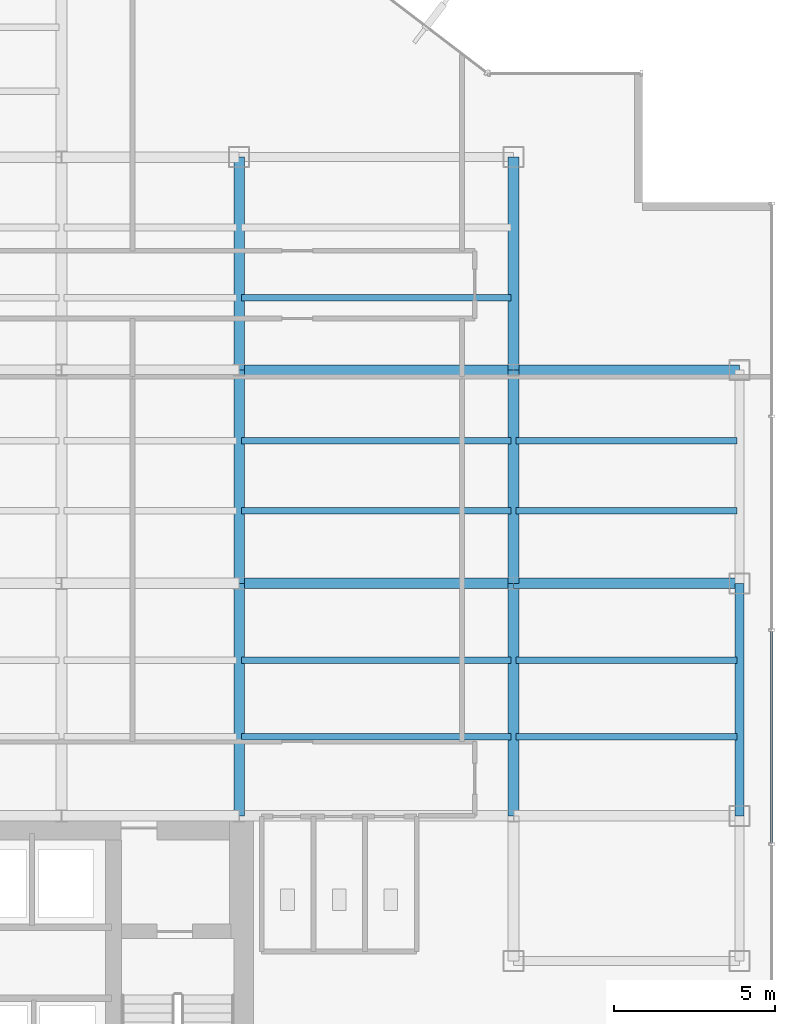
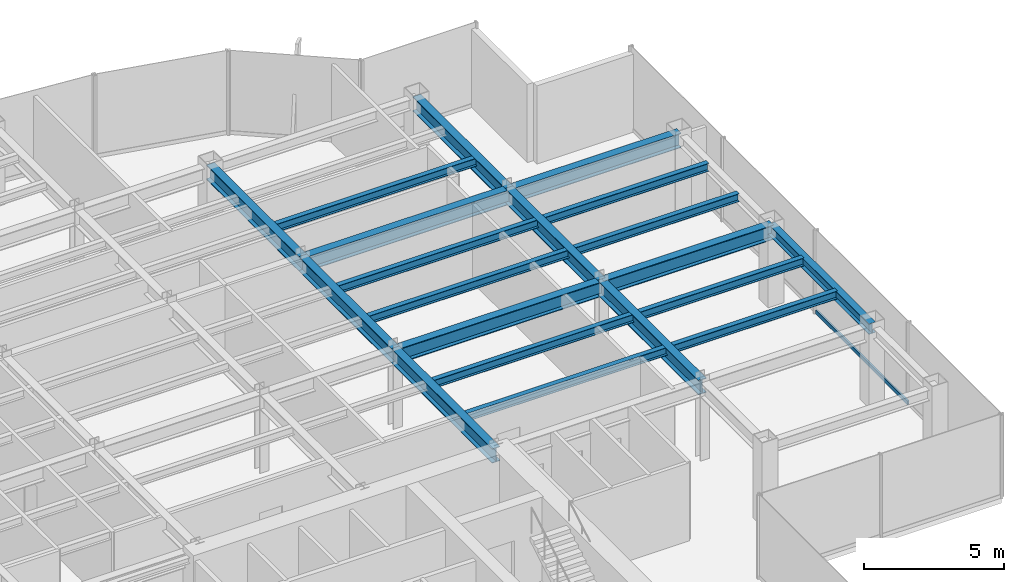
# One storey, part 12 of 25: 20 beams, 1 member, 1 element without a shape of its own.
"""IFC4 building model written with IfcOpenShell, lengths in metres."""

from ifc_helpers import new_model, si_unit, derived_unit, direction, frame, origin, origin_2d, place, context, subcontext, project, spatial, hollow_rectangle, i_section, extrude, source, transform, mapped, material, material_profile, profile_set, type_object, element, aggregate, save


model = new_model("IFC4")

# Units and contexts
model_context = context("Model", 3, precision=1e-05, world=origin(), true_north=direction((0.0, 1.0)))
body_context = subcontext(model_context, "Body", "Model", "MODEL_VIEW")
ifc_project = project(units=[si_unit("LENGTHUNIT", "METRE"), si_unit("AREAUNIT", "SQUARE_METRE"), si_unit("VOLUMEUNIT", "CUBIC_METRE"), si_unit("PLANEANGLEUNIT", "RADIAN"), si_unit("MASSUNIT", "GRAM", prefix="KILO"), derived_unit("THERMALTRANSMITTANCEUNIT", [(si_unit("POWERUNIT", "WATT"), 1), (si_unit("LENGTHUNIT", "METRE"), -2), (si_unit("THERMODYNAMICTEMPERATUREUNIT", "KELVIN"), -1)])], contexts=[model_context])

# Site, building, storey
site_placement = place(None, origin())
site = spatial("IfcSite", under=ifc_project, at=site_placement, CompositionType="ELEMENT")
building_placement = place(site_placement, origin())
building = spatial("IfcBuilding", under=site, at=building_placement, Name="Skarnbrae Concourse Arena and Tower", CompositionType="ELEMENT")
storey_placement = place(building_placement, frame((0.0, 0.0, 158.85009765625)))
storey = spatial("IfcBuildingStorey", under=building, at=storey_placement, Name="L40", CompositionType="ELEMENT", Elevation=158.85009765625)

# Beams
ifc_material_1 = material(Name="Steel CSA G40.21 350W", Category="steel")
ifc_material_profile_1 = material_profile(ifc_material_1, i_section(OverallWidth=0.3291015625, OverallDepth=0.635009765625, WebThickness=0.017822265625, FlangeThickness=0.031005859375, at=origin_2d()), Name="W610X241")
ifc_profile_set_1 = profile_set([ifc_material_profile_1], Name="Steel CSA G40.21 350W")
beam_type_1 = type_object("IfcBeamType", Name="BM-GIRD-W610X241", PredefinedType="BEAM", material=ifc_profile_set_1)
shared_shape_1 = source(origin(), body_context, "Body", "SweptSolid", [
    extrude(i_section(OverallWidth=0.3291015625, OverallDepth=0.635009765625, WebThickness=0.017822265625, FlangeThickness=0.031005859375, at=origin_2d()), origin(), (0.0, 0.0, 1.0), 6.60009765625),
])
for number, where, z_axis, x_axis, name in (
    (1, (33.5, 21.199951171875, 3.08251953125), (0.0, 1.0, 0.0), (-1.0, 0.0, 0.0), "L40 Primary N-S girder X33.5-2"),
    (2, (42.0, 21.199951171875, 3.08251953125), (0.0, 1.0, 0.0), (-1.0, 0.0, 0.0), "L40 Primary N-S girder X42.0-3"),
):
    element("IfcBeam", number, at=place(storey_placement, frame(where, z_axis=z_axis, x_axis=x_axis)), inside=storey, type_object=beam_type_1, Name=name, PredefinedType="BEAM", context=body_context, shape_type="MappedRepresentation", body=[
        mapped(shared_shape_1, transform((0.0, 0.0, 0.0))),
    ])
shared_shape_2 = source(origin(), body_context, "Body", "SweptSolid", [
    extrude(i_section(OverallWidth=0.3291015625, OverallDepth=0.635009765625, WebThickness=0.017822265625, FlangeThickness=0.031005859375, at=origin_2d()), origin(), (0.0, 0.0, 1.0), 8.5),
])
for number, where, z_axis, x_axis, name in (
    (3, (33.5, 21.199951171875, 3.08251953125), (1.0, 0.0, 0.0), (0.0, 1.0, 0.0), "L40 Primary E-W girder Y21.2-6"),
    (4, (33.5, 27.800048828125, 3.08251953125), (1.0, 0.0, 0.0), (0.0, 1.0, 0.0), "L40 Primary E-W girder Y27.8-6"),
):
    element("IfcBeam", number, at=place(storey_placement, frame(where, z_axis=z_axis, x_axis=x_axis)), inside=storey, type_object=beam_type_1, Name=name, PredefinedType="BEAM", context=body_context, shape_type="MappedRepresentation", body=[
        mapped(shared_shape_2, transform((0.0, 0.0, 0.0))),
    ])
shared_shape_3 = source(origin(), body_context, "Body", "SweptSolid", [
    extrude(i_section(OverallWidth=0.3291015625, OverallDepth=0.635009765625, WebThickness=0.017822265625, FlangeThickness=0.031005859375, at=origin_2d()), origin(), (0.0, 0.0, 1.0), 7.0),
])
for number, where, z_axis, x_axis, name in (
    (5, (42.0, 21.199951171875, 3.08251953125), (1.0, 0.0, 0.0), (0.0, 1.0, 0.0), "L40 Primary E-W girder Y21.2-7"),
    (6, (42.0, 27.800048828125, 3.08251953125), (1.0, 0.0, 0.0), (0.0, 1.0, 0.0), "L40 Primary E-W girder Y27.8-7"),
):
    element("IfcBeam", number, at=place(storey_placement, frame(where, z_axis=z_axis, x_axis=x_axis)), inside=storey, type_object=beam_type_1, Name=name, PredefinedType="BEAM", context=body_context, shape_type="MappedRepresentation", body=[
        mapped(shared_shape_3, transform((0.0, 0.0, 0.0))),
    ])
ifc_material_profile_2 = material_profile(ifc_material_1, i_section(OverallWidth=0.280029296875, OverallDepth=0.462890625, WebThickness=0.0107421875, FlangeThickness=0.017333984375, at=origin_2d()), Name="W460X113")
ifc_profile_set_2 = profile_set([ifc_material_profile_2], Name="Steel CSA G40.21 350W")
beam_type_2 = type_object("IfcBeamType", Name="BM-SPAN-W460X113", PredefinedType="SPANDREL", material=ifc_profile_set_2)
shared_shape_4 = source(origin(), body_context, "Body", "SweptSolid", [
    extrude(i_section(OverallWidth=0.280029296875, OverallDepth=0.462890625, WebThickness=0.0107421875, FlangeThickness=0.017333984375, at=origin_2d()), origin(), (0.0, 0.0, 1.0), 7.199951171875),
])
beam_placement = place(storey_placement, frame((49.0, 14.0, 3.16845703125), z_axis=(0.0, 1.0, 0.0), x_axis=(-1.0, 0.0, 0.0)))
element("IfcBeam", 7, at=beam_placement, inside=storey, type_object=beam_type_2, Name="L40 Perimeter spandrel X49.0-2", PredefinedType="SPANDREL", context=body_context, shape_type="MappedRepresentation", body=[
    mapped(shared_shape_4, transform((0.0, 0.0, 0.0))),
])
shared_shape_5 = source(origin(), body_context, "Body", "SweptSolid", [
    extrude(i_section(OverallWidth=0.3291015625, OverallDepth=0.635009765625, WebThickness=0.017822265625, FlangeThickness=0.031005859375, at=origin_2d()), origin(), (0.0, 0.0, 1.0), 7.199951171875),
])
for number, where, z_axis, x_axis, name in (
    (8, (33.5, 14.0, 3.08251953125), (0.0, 1.0, 0.0), (-1.0, 0.0, 0.0), "L40 Primary N-S girder X33.5-1"),
    (9, (42.0, 14.0, 3.08251953125), (0.0, 1.0, 0.0), (-1.0, 0.0, 0.0), "L40 Primary N-S girder X42.0-2"),
):
    element("IfcBeam", number, at=place(storey_placement, frame(where, z_axis=z_axis, x_axis=x_axis)), inside=storey, type_object=beam_type_1, Name=name, PredefinedType="BEAM", context=body_context, shape_type="MappedRepresentation", body=[
        mapped(shared_shape_5, transform((0.0, 0.0, 0.0))),
    ])
shared_shape_6 = source(origin(), body_context, "Body", "SweptSolid", [
    extrude(i_section(OverallWidth=0.3291015625, OverallDepth=0.635009765625, WebThickness=0.017822265625, FlangeThickness=0.031005859375, at=origin_2d()), origin(), (0.0, 0.0, 1.0), 6.599853515625),
])
for number, where, z_axis, x_axis, name in (
    (10, (33.5, 27.800048828125, 3.08251953125), (0.0, 1.0, 0.0), (-1.0, 0.0, 0.0), "L40 Primary N-S girder X33.5-3"),
    (11, (42.0, 27.800048828125, 3.08251953125), (0.0, 1.0, 0.0), (-1.0, 0.0, 0.0), "L40 Primary N-S girder X42.0-4"),
):
    element("IfcBeam", number, at=place(storey_placement, frame(where, z_axis=z_axis, x_axis=x_axis)), inside=storey, type_object=beam_type_1, Name=name, PredefinedType="BEAM", context=body_context, shape_type="MappedRepresentation", body=[
        mapped(shared_shape_6, transform((0.0, 0.0, 0.0))),
    ])
ifc_material_profile_3 = material_profile(ifc_material_1, i_section(OverallWidth=0.205078125, OverallDepth=0.35400390625, WebThickness=0.009521484375, FlangeThickness=0.016845703125, at=origin_2d()), Name="W360X79")
ifc_profile_set_3 = profile_set([ifc_material_profile_3], Name="Steel CSA G40.21 350W")
beam_type_3 = type_object("IfcBeamType", Name="BM-JOIST-W360X79", PredefinedType="JOIST", material=ifc_profile_set_3)
shared_shape_7 = source(origin(), body_context, "Body", "SweptSolid", [
    extrude(i_section(OverallWidth=0.205078125, OverallDepth=0.35400390625, WebThickness=0.009521484375, FlangeThickness=0.016845703125, at=origin_2d()), origin(), (0.0, 0.0, 1.0), 8.33984375),
])
for number, where, z_axis, x_axis, name in (
    (12, (33.580078125, 16.447998046875, 3.222900390625), (1.0, 0.0, 0.0), (0.0, 1.0, 0.0), "L40 Secondary floor joist 1.1.6"),
    (13, (33.580078125, 18.823974609375, 3.222900390625), (1.0, 0.0, 0.0), (0.0, 1.0, 0.0), "L40 Secondary floor joist 1.2.6"),
    (14, (33.580078125, 23.444091796875, 3.222900390625), (1.0, 0.0, 0.0), (0.0, 1.0, 0.0), "L40 Secondary floor joist 2.1.6"),
    (15, (33.580078125, 25.6220703125, 3.222900390625), (1.0, 0.0, 0.0), (0.0, 1.0, 0.0), "L40 Secondary floor joist 2.2.6"),
    (16, (33.580078125, 30.0439453125, 3.222900390625), (1.0, 0.0, 0.0), (0.0, 1.0, 0.0), "L40 Secondary floor joist 3.1.5"),
):
    element("IfcBeam", number, at=place(storey_placement, frame(where, z_axis=z_axis, x_axis=x_axis)), inside=storey, type_object=beam_type_3, Name=name, PredefinedType="JOIST", context=body_context, shape_type="MappedRepresentation", body=[
        mapped(shared_shape_7, transform((0.0, 0.0, 0.0))),
    ])
shared_shape_8 = source(origin(), body_context, "Body", "SweptSolid", [
    extrude(i_section(OverallWidth=0.205078125, OverallDepth=0.35400390625, WebThickness=0.009521484375, FlangeThickness=0.016845703125, at=origin_2d()), origin(), (0.0, 0.0, 1.0), 6.83984375),
])
for number, where, z_axis, x_axis, name in (
    (17, (42.080078125, 16.447998046875, 3.222900390625), (1.0, 0.0, 0.0), (0.0, 1.0, 0.0), "L40 Secondary floor joist 1.1.7"),
    (18, (42.080078125, 18.823974609375, 3.222900390625), (1.0, 0.0, 0.0), (0.0, 1.0, 0.0), "L40 Secondary floor joist 1.2.7"),
    (19, (42.080078125, 23.444091796875, 3.222900390625), (1.0, 0.0, 0.0), (0.0, 1.0, 0.0), "L40 Secondary floor joist 2.1.7"),
    (20, (42.080078125, 25.6220703125, 3.222900390625), (1.0, 0.0, 0.0), (0.0, 1.0, 0.0), "L40 Secondary floor joist 2.2.7"),
):
    element("IfcBeam", number, at=place(storey_placement, frame(where, z_axis=z_axis, x_axis=x_axis)), inside=storey, type_object=beam_type_3, Name=name, PredefinedType="JOIST", context=body_context, shape_type="MappedRepresentation", body=[
        mapped(shared_shape_8, transform((0.0, 0.0, 0.0))),
    ])

# Curtain wall, member
ifc_material_2 = material(Name="Bronze anodised aluminium 6063-T6", Category="aluminium")
curtain_wall_type = type_object("IfcCurtainWallType", Name="CW-SYS-04-MIDZONE", PredefinedType="USERDEFINED", material=ifc_material_2)
curtain_wall_placement = place(storey_placement, origin())
curtain_wall = element("IfcCurtainWall", 21, at=curtain_wall_placement, inside=storey, type_object=curtain_wall_type, Name="L40 Unitised curtain wall CW-L40-E04", ObjectType="UNITISED CURTAIN WALL", PredefinedType="USERDEFINED")
ifc_material_profile_4 = material_profile(ifc_material_2, hollow_rectangle(XDim=0.074951171875, YDim=0.159912109375, WallThickness=0.00439453125, at=origin_2d()), Name="ALU-TRAN-75X160")
ifc_profile_set_4 = profile_set([ifc_material_profile_4], Name="Bronze anodised aluminium 6063-T6")
member_type = type_object("IfcMemberType", Name="CWT-CW-04", PredefinedType="USERDEFINED", material=ifc_profile_set_4)
shared_shape_9 = source(origin(), body_context, "Body", "SweptSolid", [
    extrude(hollow_rectangle(XDim=0.074951171875, YDim=0.159912109375, WallThickness=0.00439453125, at=origin_2d()), origin(), (0.0, 0.0, 1.0), 6.5498046875),
])
member_placement = place(storey_placement, frame((50.0, 13.16259765625, 0.079833984375), z_axis=(0.0, 1.0, 0.0), x_axis=(-1.0, 0.0, 0.0)))
member = element("IfcMember", 22, at=member_placement, type_object=member_type, Name="CW-L40-E04 Transom 2", ObjectType="TRANSOM", PredefinedType="USERDEFINED", context=body_context, shape_type="MappedRepresentation", body=[
    mapped(shared_shape_9, transform((0.0, 0.0, 0.0))),
])
aggregate(curtain_wall, [member])

save(model, "model.ifc")
